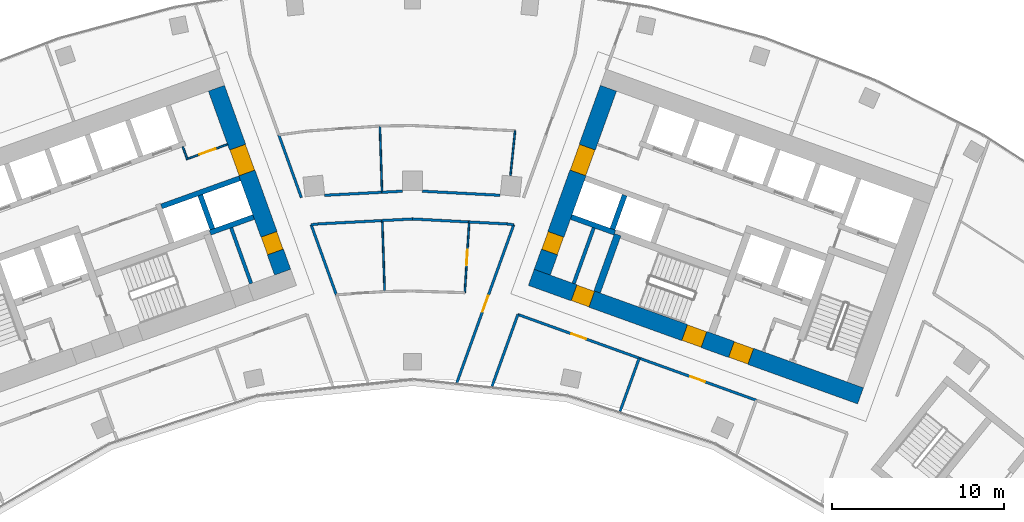
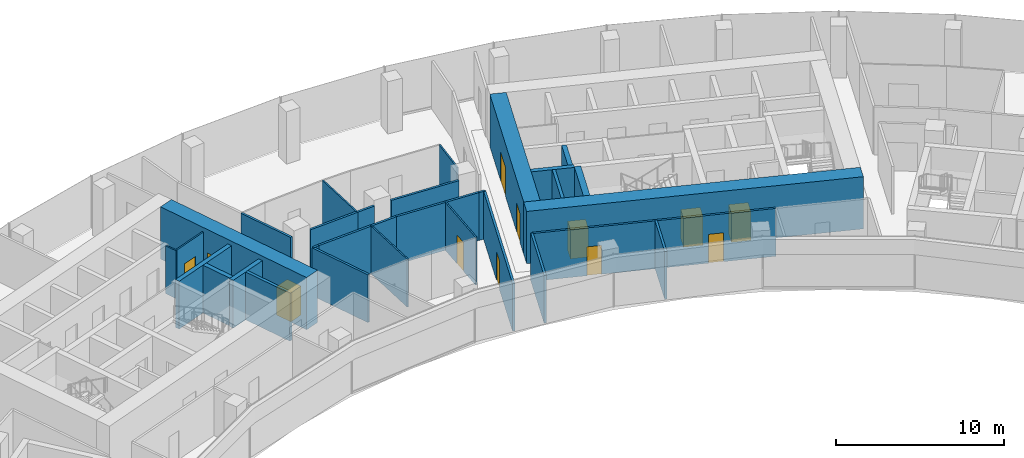
# One storey, part 14 of 19: 33 walls, 12 doors, 12 openings.
"""IFC4 building model written with IfcOpenShell, lengths in metres."""

from ifc_helpers import new_model, si_unit, direction, frame, frame_2d, origin, place, context, subcontext, project, spatial, rectangle, extrude, material, layer, layer_set, type_object, element, fill, save


model = new_model("IFC4")

# Units and contexts
model_context = context("Model", 3, precision=1e-05, world=origin(), true_north=direction((0.0, 1.0)))
body_context = subcontext(model_context, "Body", "Model", "MODEL_VIEW")
ifc_project = project(units=[si_unit("LENGTHUNIT", "METRE"), si_unit("AREAUNIT", "SQUARE_METRE"), si_unit("VOLUMEUNIT", "CUBIC_METRE"), si_unit("PLANEANGLEUNIT", "RADIAN"), si_unit("MASSUNIT", "GRAM", prefix="KILO")], contexts=[model_context])

# Site, building, storey
site_placement = place(None, origin())
site = spatial("IfcSite", under=ifc_project, at=site_placement, CompositionType="ELEMENT")
building_placement = place(site_placement, origin())
building = spatial("IfcBuilding", under=site, at=building_placement, Name="Stone Belt Terrace Tower", CompositionType="ELEMENT")
storey_placement = place(building_placement, frame((0.0, 0.0, 204.800048828125)))
storey = spatial("IfcBuildingStorey", under=building, at=storey_placement, Name="L49", CompositionType="ELEMENT", Elevation=204.800048828125)

# Wall
ifc_material_1 = material(Name="Plasterboard partition")
ifc_layer_1 = layer(ifc_material_1, 0.10009765625)
ifc_layer_set_1 = layer_set([ifc_layer_1], Name="Core partition 100")
wall_type_1 = type_object("IfcWallType", Name="Core partition 100", PredefinedType="PARTITIONING", material=ifc_layer_set_1)
wall_1_placement = place(storey_placement, frame((-13.115966796875, 56.230712890625, 0.0), z_axis=(0.0, 0.0, 1.0), x_axis=(-0.338481684961, 0.940972979923, 0.0)))
element("IfcWall", 1, at=wall_1_placement, inside=storey, type_object=wall_type_1, Name="Core A wall", PredefinedType="PARTITIONING", context=body_context, shape_type="SweptSolid", body=[
    extrude(rectangle(XDim=0.7998046875, YDim=0.10009765625, at=frame_2d((0.39990234375, 0.0))), origin(), (0.0, 0.0, 1.0), 3.47998046875),
])

# Wall, opening, door
wall_2_placement = place(storey_placement, frame((-13.085693359375, 56.294677734375, 0.0), z_axis=(0.0, 0.0, 1.0), x_axis=(0.940922976849, 0.338620660383, 0.0)))
wall_2 = element("IfcWall", 2, at=wall_2_placement, inside=storey, type_object=wall_type_1, Name="Core A wall", PredefinedType="PARTITIONING", context=body_context, shape_type="SweptSolid", body=[
    extrude(rectangle(XDim=2.449951171875, YDim=0.10009765625, at=frame_2d((1.22509765625, 0.0))), origin(), (0.0, 0.0, 1.0), 3.47998046875),
])
opening_1_placement = place(wall_2_placement, frame((0.699951171875, 0.0, 0.0)))
opening_1 = element("IfcOpeningElement", 3, at=opening_1_placement, cuts=wall_2, Name="Opening L49-C01", PredefinedType="OPENING", context=body_context, shape_type="SweptSolid", body=[
    extrude(rectangle(XDim=1.0, YDim=2.10009765625, at=frame_2d((0.5, 1.050048828125))), frame((0.0, 0.06005859375, 0.0), z_axis=(0.0, -1.0, 0.0), x_axis=(1.0, 0.0, 0.0)), (0.0, 0.0, 1.0), 0.1201171875),
])
ifc_material_2 = material(Name="Timber door leaf", Category="wood")
door_type_1 = type_object("IfcDoorType", Name="Core room door 1000", OperationType="SINGLE_SWING_LEFT", PredefinedType="DOOR", material=ifc_material_2)
door_1_placement = place(opening_1_placement, origin())
door_1 = element("IfcDoor", 4, at=door_1_placement, inside=storey, type_object=door_type_1, Name="Door to Staff pantry core A", OperationType="SINGLE_SWING_RIGHT", OverallHeight=2.10009765625, OverallWidth=1.0, PredefinedType="DOOR", context=body_context, shape_type="SweptSolid", body=[
    extrude(rectangle(XDim=1.0, YDim=2.10009765625, at=frame_2d((0.5, 1.050048828125))), frame((0.0, 0.02490234375, 0.0), z_axis=(0.0, -1.0, 0.0), x_axis=(1.0, 0.0, 0.0)), (0.0, 0.0, 1.0), 0.050048828125),
])
fill(opening_1, door_1)

# Wall, openings, doors
ifc_material_3 = material(Name="Concrete B60", Category="concrete")
ifc_layer_2 = layer(ifc_material_3, 1.0)
ifc_layer_set_2 = layer_set([ifc_layer_2], Name="Core wall 1000 B60")
wall_type_2 = type_object("IfcWallType", Name="Core wall 1000 B60", PredefinedType="SHEAR", material=ifc_layer_set_2)
wall_3_placement = place(storey_placement, frame((-7.567138671875, 49.672119140625, 0.0), z_axis=(0.0, 0.0, 1.0), x_axis=(-0.338625431531, 0.940921259788, 0.0)))
wall_3 = element("IfcWall", 5, at=wall_3_placement, inside=storey, type_object=wall_type_2, Name="Core A wall end_b L49", PredefinedType="SHEAR", context=body_context, shape_type="SweptSolid", body=[
    extrude(rectangle(XDim=11.400146484375, YDim=1.0, at=frame_2d((5.7001953125, 0.0))), origin(), (0.0, 0.0, 1.0), 3.800048828125),
])
opening_2_placement = place(wall_3_placement, frame((6.14990234375, 0.0, 0.0)))
opening_2 = element("IfcOpeningElement", 6, at=opening_2_placement, cuts=wall_3, Name="Opening L49-C04", PredefinedType="OPENING", context=body_context, shape_type="SweptSolid", body=[
    extrude(rectangle(XDim=1.60009765625, YDim=2.10009765625, at=frame_2d((0.800048828125, 1.050048828125))), frame((0.0, 0.510009765625, 0.0), z_axis=(0.0, -1.0, 0.0), x_axis=(1.0, 0.0, 0.0)), (0.0, 0.0, 1.0), 1.02001953125),
])
opening_3_placement = place(wall_3_placement, frame((1.25, 0.0, 0.0)))
opening_3 = element("IfcOpeningElement", 7, at=opening_3_placement, cuts=wall_3, Name="Opening L49-C10", PredefinedType="OPENING", context=body_context, shape_type="SweptSolid", body=[
    extrude(rectangle(XDim=1.10009765625, YDim=2.10009765625, at=frame_2d((0.550048828125, 1.050048828125))), frame((0.0, 0.510009765625, 0.0), z_axis=(0.0, -1.0, 0.0), x_axis=(1.0, 0.0, 0.0)), (0.0, 0.0, 1.0), 1.02001953125),
])
door_type_2 = type_object("IfcDoorType", Name="Core room door 1100", OperationType="SINGLE_SWING_LEFT", PredefinedType="DOOR", material=ifc_material_2)
door_2_placement = place(opening_3_placement, origin())
door_2 = element("IfcDoor", 8, at=door_2_placement, inside=storey, type_object=door_type_2, Name="Door to Cleaner's store core A", OperationType="SINGLE_SWING_LEFT", OverallHeight=2.10009765625, OverallWidth=1.10009765625, PredefinedType="DOOR", context=body_context, shape_type="SweptSolid", body=[
    extrude(rectangle(XDim=1.10009765625, YDim=2.10009765625, at=frame_2d((0.550048828125, 1.050048828125))), frame((0.0, 0.47998046875, 0.0), z_axis=(0.0, -1.0, 0.0), x_axis=(1.0, 0.0, 0.0)), (0.0, 0.0, 1.0), 0.9599609375),
])
fill(opening_3, door_2)
ifc_material_4 = material(Name="Glazed aluminium door leaf", Category="aluminium")
door_type_3 = type_object("IfcDoorType", Name="Lift lobby entrance door 1600", OperationType="DOUBLE_DOOR_SINGLE_SWING", PredefinedType="DOOR", material=ifc_material_4)
door_3_placement = place(opening_2_placement, origin())
door_3 = element("IfcDoor", 9, at=door_3_placement, inside=storey, type_object=door_type_3, Name="Lift lobby entrance door core A", OperationType="DOUBLE_DOOR_SINGLE_SWING", OverallHeight=2.10009765625, OverallWidth=1.60009765625, PredefinedType="DOOR", context=body_context, shape_type="SweptSolid", body=[
    extrude(rectangle(XDim=1.60009765625, YDim=2.10009765625, at=frame_2d((0.800048828125, 1.050048828125))), frame((0.0, 0.47998046875, 0.0), z_axis=(0.0, -1.0, 0.0), x_axis=(1.0, 0.0, 0.0)), (0.0, 0.0, 1.0), 0.9599609375),
])
fill(opening_2, door_3)

wall_4_placement = place(storey_placement, frame((6.927490234375, 49.370849609375, 0.0), z_axis=(0.0, 0.0, 1.0), x_axis=(0.940921428504, -0.338624962727, 0.0)))
wall_4 = element("IfcWall", 10, at=wall_4_placement, inside=storey, type_object=wall_type_2, Name="Core B wall concave L49", PredefinedType="SHEAR", context=body_context, shape_type="SweptSolid", body=[
    extrude(rectangle(XDim=20.400146484375, YDim=1.0, at=frame_2d((10.2001953125, 0.0))), origin(), (0.0, 0.0, 1.0), 3.800048828125),
])
opening_4_placement = place(wall_4_placement, frame((12.39990234375, 0.0, 0.0)))
opening_4 = element("IfcOpeningElement", 11, at=opening_4_placement, cuts=wall_4, Name="Opening L49-C18", PredefinedType="OPENING", context=body_context, shape_type="SweptSolid", body=[
    extrude(rectangle(XDim=1.199951171875, YDim=2.10009765625, at=frame_2d((0.60009765625, 1.050048828125))), frame((0.0, 0.510009765625, 0.0), z_axis=(0.0, -1.0, 0.0), x_axis=(1.0, 0.0, 0.0)), (0.0, 0.0, 1.0), 1.02001953125),
])
opening_5_placement = place(wall_4_placement, frame((9.5, 0.0, 0.0)))
opening_5 = element("IfcOpeningElement", 12, at=opening_5_placement, cuts=wall_4, Name="Opening L49-C20", PredefinedType="OPENING", context=body_context, shape_type="SweptSolid", body=[
    extrude(rectangle(XDim=1.199951171875, YDim=2.10009765625, at=frame_2d((0.60009765625, 1.050048828125))), frame((0.0, 0.510009765625, 0.0), z_axis=(0.0, -1.0, 0.0), x_axis=(1.0, 0.0, 0.0)), (0.0, 0.0, 1.0), 1.02001953125),
])
opening_6_placement = place(wall_4_placement, frame((2.64990234375, 0.0, 0.0)))
opening_6 = element("IfcOpeningElement", 13, at=opening_6_placement, cuts=wall_4, Name="Opening L49-C22", PredefinedType="OPENING", context=body_context, shape_type="SweptSolid", body=[
    extrude(rectangle(XDim=1.10009765625, YDim=2.10009765625, at=frame_2d((0.550048828125, 1.050048828125))), frame((0.0, 0.510009765625, 0.0), z_axis=(0.0, -1.0, 0.0), x_axis=(1.0, 0.0, 0.0)), (0.0, 0.0, 1.0), 1.02001953125),
])
door_4_placement = place(opening_6_placement, origin())
door_4 = element("IfcDoor", 14, at=door_4_placement, inside=storey, type_object=door_type_2, Name="Door to Communications riser room core B", OperationType="SINGLE_SWING_LEFT", OverallHeight=2.10009765625, OverallWidth=1.10009765625, PredefinedType="DOOR", context=body_context, shape_type="SweptSolid", body=[
    extrude(rectangle(XDim=1.10009765625, YDim=2.10009765625, at=frame_2d((0.550048828125, 1.050048828125))), frame((0.0, 0.47998046875, 0.0), z_axis=(0.0, -1.0, 0.0), x_axis=(1.0, 0.0, 0.0)), (0.0, 0.0, 1.0), 0.9599609375),
])
fill(opening_6, door_4)
ifc_material_5 = material(Name="Steel door leaf", Category="steel")
door_type_4 = type_object("IfcDoorType", Name="Fire-fighting lobby door 1200", OperationType="SINGLE_SWING_LEFT", PredefinedType="DOOR", material=ifc_material_5)
door_5_placement = place(opening_4_placement, origin())
door_5 = element("IfcDoor", 15, at=door_5_placement, inside=storey, type_object=door_type_4, Name="Fire-fighting lobby door core B", OperationType="SINGLE_SWING_LEFT", OverallHeight=2.10009765625, OverallWidth=1.199951171875, PredefinedType="DOOR", context=body_context, shape_type="SweptSolid", body=[
    extrude(rectangle(XDim=1.199951171875, YDim=2.10009765625, at=frame_2d((0.60009765625, 1.050048828125))), frame((0.0, 0.47998046875, 0.0), z_axis=(0.0, -1.0, 0.0), x_axis=(1.0, 0.0, 0.0)), (0.0, 0.0, 1.0), 0.9599609375),
])
fill(opening_4, door_5)
door_type_5 = type_object("IfcDoorType", Name="Stair door 1200", OperationType="SINGLE_SWING_LEFT", PredefinedType="DOOR", material=ifc_material_5)
door_6_placement = place(opening_5_placement, origin())
door_6 = element("IfcDoor", 16, at=door_6_placement, inside=storey, type_object=door_type_5, Name="Stair 2 exit door core B", OperationType="SINGLE_SWING_RIGHT", OverallHeight=2.10009765625, OverallWidth=1.199951171875, PredefinedType="DOOR", context=body_context, shape_type="SweptSolid", body=[
    extrude(rectangle(XDim=1.199951171875, YDim=2.10009765625, at=frame_2d((0.60009765625, 1.050048828125))), frame((0.0, 0.47998046875, 0.0), z_axis=(0.0, -1.0, 0.0), x_axis=(1.0, 0.0, 0.0)), (0.0, 0.0, 1.0), 0.9599609375),
])
fill(opening_5, door_6)

wall_5_placement = place(storey_placement, frame((7.567138671875, 49.672119140625, 0.0), z_axis=(0.0, 0.0, 1.0), x_axis=(0.338625431531, 0.940921259788, 0.0)))
wall_5 = element("IfcWall", 17, at=wall_5_placement, inside=storey, type_object=wall_type_2, Name="Core B wall end_a L49", PredefinedType="SHEAR", context=body_context, shape_type="SweptSolid", body=[
    extrude(rectangle(XDim=11.400146484375, YDim=1.0, at=frame_2d((5.7001953125, 0.0))), origin(), (0.0, 0.0, 1.0), 3.800048828125),
])
opening_7_placement = place(wall_5_placement, frame((6.14990234375, 0.0, 0.0)))
opening_7 = element("IfcOpeningElement", 18, at=opening_7_placement, cuts=wall_5, Name="Opening L49-C15", PredefinedType="OPENING", context=body_context, shape_type="SweptSolid", body=[
    extrude(rectangle(XDim=1.60009765625, YDim=2.10009765625, at=frame_2d((0.800048828125, 1.050048828125))), frame((0.0, 0.510009765625, 0.0), z_axis=(0.0, -1.0, 0.0), x_axis=(1.0, 0.0, 0.0)), (0.0, 0.0, 1.0), 1.02001953125),
])
opening_8_placement = place(wall_5_placement, frame((1.25, 0.0, 0.0)))
opening_8 = element("IfcOpeningElement", 19, at=opening_8_placement, cuts=wall_5, Name="Opening L49-C21", PredefinedType="OPENING", context=body_context, shape_type="SweptSolid", body=[
    extrude(rectangle(XDim=1.10009765625, YDim=2.10009765625, at=frame_2d((0.550048828125, 1.050048828125))), frame((0.0, 0.510009765625, 0.0), z_axis=(0.0, -1.0, 0.0), x_axis=(1.0, 0.0, 0.0)), (0.0, 0.0, 1.0), 1.02001953125),
])
door_7_placement = place(opening_8_placement, origin())
door_7 = element("IfcDoor", 20, at=door_7_placement, inside=storey, type_object=door_type_2, Name="Door to Cleaner's store core B", OperationType="SINGLE_SWING_RIGHT", OverallHeight=2.10009765625, OverallWidth=1.10009765625, PredefinedType="DOOR", context=body_context, shape_type="SweptSolid", body=[
    extrude(rectangle(XDim=1.10009765625, YDim=2.10009765625, at=frame_2d((0.550048828125, 1.050048828125))), frame((0.0, 0.47998046875, 0.0), z_axis=(0.0, -1.0, 0.0), x_axis=(1.0, 0.0, 0.0)), (0.0, 0.0, 1.0), 0.9599609375),
])
fill(opening_8, door_7)
door_8_placement = place(opening_7_placement, origin())
door_8 = element("IfcDoor", 21, at=door_8_placement, inside=storey, type_object=door_type_3, Name="Lift lobby entrance door core B", OperationType="DOUBLE_DOOR_SINGLE_SWING", OverallHeight=2.10009765625, OverallWidth=1.60009765625, PredefinedType="DOOR", context=body_context, shape_type="SweptSolid", body=[
    extrude(rectangle(XDim=1.60009765625, YDim=2.10009765625, at=frame_2d((0.800048828125, 1.050048828125))), frame((0.0, 0.47998046875, 0.0), z_axis=(0.0, -1.0, 0.0), x_axis=(1.0, 0.0, 0.0)), (0.0, 0.0, 1.0), 0.9599609375),
])
fill(opening_7, door_8)

# Walls
ifc_material_6 = material(Name="Concrete B80", Category="concrete")
ifc_layer_3 = layer(ifc_material_6, 0.300048828125)
ifc_layer_set_3 = layer_set([ifc_layer_3], Name="Lift shaft wall 300")
wall_type_3 = type_object("IfcWallType", Name="Lift shaft wall 300", PredefinedType="SHEAR", material=ifc_layer_set_3)
wall_6_placement = place(storey_placement, frame((-14.6328125, 53.506103515625, 0.0), z_axis=(0.0, 0.0, 1.0), x_axis=(0.940931684323, 0.338596464007, 0.0)))
element("IfcWall", 22, at=wall_6_placement, inside=storey, type_object=wall_type_3, Name="Core A wall", PredefinedType="SHEAR", context=body_context, shape_type="SweptSolid", body=[
    extrude(rectangle(XDim=4.849609375, YDim=0.300048828125, at=frame_2d((2.4248046875, 0.0))), origin(), (0.0, 0.0, 1.0), 3.47998046875),
])
wall_7_placement = place(storey_placement, frame((-11.797119140625, 51.975830078125, 0.0), z_axis=(0.0, 0.0, 1.0), x_axis=(0.940910465161, 0.33865542451, 0.0)))
element("IfcWall", 23, at=wall_7_placement, inside=storey, type_object=wall_type_3, Name="Core A wall", PredefinedType="SHEAR", context=body_context, shape_type="SweptSolid", body=[
    extrude(rectangle(XDim=2.69970703125, YDim=0.300048828125, at=frame_2d((1.349853515625, 0.0))), origin(), (0.0, 0.0, 1.0), 3.47998046875),
])
wall_8_placement = place(storey_placement, frame((-11.659912109375, 52.184814453125, 0.0), z_axis=(0.0, 0.0, 1.0), x_axis=(-0.338670064856, 0.940905195634, 0.0)))
element("IfcWall", 24, at=wall_8_placement, inside=storey, type_object=wall_type_3, Name="Core A wall", PredefinedType="SHEAR", context=body_context, shape_type="SweptSolid", body=[
    extrude(rectangle(XDim=2.099853515625, YDim=0.300048828125, at=frame_2d((1.0498046875, 0.0))), origin(), (0.0, 0.0, 1.0), 3.47998046875),
])
wall_9_placement = place(storey_placement, frame((11.797119140625, 51.975830078125, 0.0), z_axis=(0.0, 0.0, 1.0), x_axis=(-0.940910465161, 0.33865542451, 0.0)))
element("IfcWall", 25, at=wall_9_placement, inside=storey, type_object=wall_type_3, Name="Core B wall", PredefinedType="SHEAR", context=body_context, shape_type="SweptSolid", body=[
    extrude(rectangle(XDim=2.69970703125, YDim=0.300048828125, at=frame_2d((1.349853515625, 0.0))), origin(), (0.0, 0.0, 1.0), 3.47998046875),
])
wall_10_placement = place(storey_placement, frame((11.659912109375, 52.184814453125, 0.0), z_axis=(0.0, 0.0, 1.0), x_axis=(0.338670064856, 0.940905195634, 0.0)))
element("IfcWall", 26, at=wall_10_placement, inside=storey, type_object=wall_type_3, Name="Core B wall", PredefinedType="SHEAR", context=body_context, shape_type="SweptSolid", body=[
    extrude(rectangle(XDim=2.099853515625, YDim=0.300048828125, at=frame_2d((1.0498046875, 0.0))), origin(), (0.0, 0.0, 1.0), 3.47998046875),
])

# Wall, opening, door
ifc_material_7 = material(Name="Gypsum board partition")
ifc_layer_4 = layer(ifc_material_7, 0.10009765625)
ifc_layer_set_4 = layer_set([ifc_layer_4], Name="PARTITION 100")
wall_type_4 = type_object("IfcWallType", Name="PARTITION 100", PredefinedType="PARTITIONING", material=ifc_layer_set_4)
wall_11_placement = place(storey_placement, frame((3.051025390625, 48.47900390625, 0.0), z_axis=(0.0, 0.0, 1.0), x_axis=(0.06270205235, 0.998032290375, 0.0)))
wall_11 = element("IfcWall", 27, at=wall_11_placement, inside=storey, type_object=wall_type_4, Name="L49/wall/i084", PredefinedType="PARTITIONING", context=body_context, shape_type="SweptSolid", body=[
    extrude(rectangle(XDim=4.131103515625, YDim=0.10009765625, at=frame_2d((2.0654296875, 0.0))), origin(), (0.0, 0.0, 1.0), 3.47998046875),
])
opening_9_placement = place(wall_11_placement, frame((1.615478515625, 0.0, 0.0)))
opening_9 = element("IfcOpeningElement", 28, at=opening_9_placement, cuts=wall_11, Name="Opening D-D2-24", PredefinedType="OPENING", context=body_context, shape_type="SweptSolid", body=[
    extrude(rectangle(XDim=0.89990234375, YDim=2.10009765625, at=frame_2d((0.449951171875, 1.050048828125))), frame((0.0, 0.06005859375, 0.0), z_axis=(0.0, -1.0, 0.0), x_axis=(1.0, 0.0, 0.0)), (0.0, 0.0, 1.0), 0.1201171875),
])
door_type_6 = type_object("IfcDoorType", Name="OFFICE DOOR 900 X 2100", OperationType="NOTDEFINED", PredefinedType="DOOR", material=ifc_material_2)
door_9_placement = place(opening_9_placement, origin())
door_9 = element("IfcDoor", 29, at=door_9_placement, inside=storey, type_object=door_type_6, Name="L49/door/i24", OperationType="SINGLE_SWING_RIGHT", OverallHeight=2.10009765625, OverallWidth=0.89990234375, PredefinedType="DOOR", context=body_context, shape_type="SweptSolid", body=[
    extrude(rectangle(XDim=0.89990234375, YDim=2.10009765625, at=frame_2d((0.449951171875, 1.050048828125))), frame((0.0, 0.02490234375, 0.0), z_axis=(0.0, -1.0, 0.0), x_axis=(1.0, 0.0, 0.0)), (0.0, 0.0, 1.0), 0.050048828125),
])
fill(opening_9, door_9)

# Walls
wall_12_placement = place(storey_placement, frame((-1.758056640625, 52.68310546875, 0.0), z_axis=(0.0, 0.0, 1.0), x_axis=(0.033340372629, -0.999444055239, 0.0)))
element("IfcWall", 30, at=wall_12_placement, inside=storey, type_object=wall_type_4, Name="L49/wall/i085", PredefinedType="PARTITIONING", context=body_context, shape_type="SweptSolid", body=[
    extrude(rectangle(XDim=4.13720703125, YDim=0.10009765625, at=frame_2d((2.068603515625, 0.0))), origin(), (0.0, 0.0, 1.0), 3.47998046875),
])
wall_13_placement = place(storey_placement, frame((5.71484375, 55.310546875, 0.0), z_axis=(0.0, 0.0, 1.0), x_axis=(0.102676629499, 0.994714788145, 0.0)))
element("IfcWall", 31, at=wall_13_placement, inside=storey, type_object=wall_type_4, Name="L49/wall/i088", PredefinedType="PARTITIONING", context=body_context, shape_type="SweptSolid", body=[
    extrude(rectangle(XDim=2.620361328125, YDim=0.10009765625, at=frame_2d((1.31005859375, 0.0))), origin(), (0.0, 0.0, 1.0), 3.47998046875),
])
wall_14_placement = place(storey_placement, frame((-1.89892578125, 58.194091796875, 0.0), z_axis=(0.0, 0.0, 1.0), x_axis=(0.03285411733, -0.999460157772, 0.0)))
element("IfcWall", 32, at=wall_14_placement, inside=storey, type_object=wall_type_4, Name="L49/wall/i091", PredefinedType="PARTITIONING", context=body_context, shape_type="SweptSolid", body=[
    extrude(rectangle(XDim=3.8642578125, YDim=0.10009765625, at=frame_2d((1.93212890625, 0.0))), origin(), (0.0, 0.0, 1.0), 3.47998046875),
])
ifc_layer_5 = layer(ifc_material_7, 0.14990234375)
ifc_layer_set_5 = layer_set([ifc_layer_5], Name="PARTITION 150 EI 60")
wall_type_5 = type_object("IfcWallType", Name="PARTITION 150 EI 60", PredefinedType="PARTITIONING", material=ifc_layer_set_5)
wall_15_placement = place(storey_placement, frame((-5.906005859375, 52.44091796875, 0.0), z_axis=(0.0, 0.0, 1.0), x_axis=(0.338528709478, -0.940956063193, 0.0)))
element("IfcWall", 33, at=wall_15_placement, inside=storey, type_object=wall_type_5, Name="L49/wall/i011", PredefinedType="PARTITIONING", context=body_context, shape_type="SweptSolid", body=[
    extrude(rectangle(XDim=4.350830078125, YDim=0.14990234375, at=frame_2d((2.17529296875, 0.0))), origin(), (0.0, 0.0, 1.0), 3.47998046875),
])
wall_16_placement = place(storey_placement, frame((-7.791015625, 57.677978515625, 0.0), z_axis=(0.0, 0.0, 1.0), x_axis=(0.338503743671, -0.940965044792, 0.0)))
element("IfcWall", 34, at=wall_16_placement, inside=storey, type_object=wall_type_5, Name="L49/wall/i014", PredefinedType="PARTITIONING", context=body_context, shape_type="SweptSolid", body=[
    extrude(rectangle(XDim=3.887451171875, YDim=0.14990234375, at=frame_2d((1.94384765625, 0.0))), origin(), (0.0, 0.0, 1.0), 3.47998046875),
])
wall_17_placement = place(storey_placement, frame((6.14990234375, 47.212890625, 0.0), z_axis=(0.0, 0.0, 1.0), x_axis=(-0.338583902482, -0.940936204522, 0.0)))
element("IfcWall", 35, at=wall_17_placement, inside=storey, type_object=wall_type_5, Name="L49/wall/i022", PredefinedType="PARTITIONING", context=body_context, shape_type="SweptSolid", body=[
    extrude(rectangle(XDim=4.464111328125, YDim=0.14990234375, at=frame_2d((2.23193359375, 0.0))), origin(), (0.0, 0.0, 1.0), 3.47998046875),
])

# Wall, opening, door
wall_18_placement = place(storey_placement, frame((2.590087890625, 43.227783203125, 0.0), z_axis=(0.0, 0.0, 1.0), x_axis=(0.33864618549, 0.940913790447, 0.0)))
wall_18 = element("IfcWall", 36, at=wall_18_placement, inside=storey, type_object=wall_type_5, Name="L49/wall/i024", PredefinedType="PARTITIONING", context=body_context, shape_type="SweptSolid", body=[
    extrude(rectangle(XDim=9.791748046875, YDim=0.14990234375, at=frame_2d((4.89599609375, 0.0))), origin(), (0.0, 0.0, 1.0), 3.47998046875),
])
opening_10_placement = place(wall_18_placement, frame((4.39599609375, 0.0, 0.0)))
opening_10 = element("IfcOpeningElement", 37, at=opening_10_placement, cuts=wall_18, Name="Opening D-D2-22", PredefinedType="OPENING", context=body_context, shape_type="SweptSolid", body=[
    extrude(rectangle(XDim=1.0, YDim=2.10009765625, at=frame_2d((0.5, 1.050048828125))), frame((0.0, 0.0849609375, 0.0), z_axis=(0.0, -1.0, 0.0), x_axis=(1.0, 0.0, 0.0)), (0.0, 0.0, 1.0), 0.169921875),
])
ifc_material_8 = material(Name="Timber fire door leaf", Category="wood")
door_type_7 = type_object("IfcDoorType", Name="TENANCY ENTRANCE DOOR 1000 X 2100", OperationType="NOTDEFINED", PredefinedType="DOOR", material=ifc_material_8)
door_10_placement = place(opening_10_placement, origin())
door_10 = element("IfcDoor", 38, at=door_10_placement, inside=storey, type_object=door_type_7, Name="L49/door/i22", OperationType="SINGLE_SWING_LEFT", OverallHeight=2.10009765625, OverallWidth=1.0, PredefinedType="DOOR", context=body_context, shape_type="SweptSolid", body=[
    extrude(rectangle(XDim=1.0, YDim=2.10009765625, at=frame_2d((0.5, 1.050048828125))), frame((0.0, 0.02490234375, 0.0), z_axis=(0.0, -1.0, 0.0), x_axis=(1.0, 0.0, 0.0)), (0.0, 0.0, 1.0), 0.050048828125),
])
fill(opening_10, door_10)

wall_19_placement = place(storey_placement, frame((13.22705078125, 44.659912109375, 0.0), z_axis=(0.0, 0.0, 1.0), x_axis=(-0.940930018607, 0.338601092858, 0.0)))
wall_19 = element("IfcWall", 39, at=wall_19_placement, inside=storey, type_object=wall_type_5, Name="L49/wall/i033", PredefinedType="PARTITIONING", context=body_context, shape_type="SweptSolid", body=[
    extrude(rectangle(XDim=7.5224609375, YDim=0.14990234375, at=frame_2d((3.76123046875, 0.0))), origin(), (0.0, 0.0, 1.0), 3.47998046875),
])
opening_11_placement = place(wall_19_placement, frame((3.311279296875, 0.0, 0.0)))
opening_11 = element("IfcOpeningElement", 40, at=opening_11_placement, cuts=wall_19, Name="Opening D-D2-06", PredefinedType="OPENING", context=body_context, shape_type="SweptSolid", body=[
    extrude(rectangle(XDim=0.89990234375, YDim=2.10009765625, at=frame_2d((0.449951171875, 1.050048828125))), frame((0.0, 0.0849609375, 0.0), z_axis=(0.0, -1.0, 0.0), x_axis=(1.0, 0.0, 0.0)), (0.0, 0.0, 1.0), 0.169921875),
])
door_11_placement = place(opening_11_placement, origin())
door_11 = element("IfcDoor", 41, at=door_11_placement, inside=storey, type_object=door_type_6, Name="L49/door/i06", OperationType="SINGLE_SWING_RIGHT", OverallHeight=2.10009765625, OverallWidth=0.89990234375, PredefinedType="DOOR", context=body_context, shape_type="SweptSolid", body=[
    extrude(rectangle(XDim=0.89990234375, YDim=2.10009765625, at=frame_2d((0.449951171875, 1.050048828125))), frame((0.0, 0.02490234375, 0.0), z_axis=(0.0, -1.0, 0.0), x_axis=(1.0, 0.0, 0.0)), (0.0, 0.0, 1.0), 0.050048828125),
])
fill(opening_11, door_11)

wall_20_placement = place(storey_placement, frame((20.049072265625, 42.205078125, 0.0), z_axis=(0.0, 0.0, 1.0), x_axis=(-0.940942249556, 0.338567102655, 0.0)))
wall_20 = element("IfcWall", 42, at=wall_20_placement, inside=storey, type_object=wall_type_5, Name="L49/wall/i034", PredefinedType="PARTITIONING", context=body_context, shape_type="SweptSolid", body=[
    extrude(rectangle(XDim=7.262939453125, YDim=0.14990234375, at=frame_2d((3.63134765625, 0.0))), origin(), (0.0, 0.0, 1.0), 3.47998046875),
])
opening_12_placement = place(wall_20_placement, frame((3.181396484375, 0.0, 0.0)))
opening_12 = element("IfcOpeningElement", 43, at=opening_12_placement, cuts=wall_20, Name="Opening D-D2-07", PredefinedType="OPENING", context=body_context, shape_type="SweptSolid", body=[
    extrude(rectangle(XDim=0.89990234375, YDim=2.10009765625, at=frame_2d((0.449951171875, 1.050048828125))), frame((0.0, 0.0849609375, 0.0), z_axis=(0.0, -1.0, 0.0), x_axis=(1.0, 0.0, 0.0)), (0.0, 0.0, 1.0), 0.169921875),
])
door_12_placement = place(opening_12_placement, origin())
door_12 = element("IfcDoor", 44, at=door_12_placement, inside=storey, type_object=door_type_6, Name="L49/door/i07", OperationType="SINGLE_SWING_RIGHT", OverallHeight=2.10009765625, OverallWidth=0.89990234375, PredefinedType="DOOR", context=body_context, shape_type="SweptSolid", body=[
    extrude(rectangle(XDim=0.89990234375, YDim=2.10009765625, at=frame_2d((0.449951171875, 1.050048828125))), frame((0.0, 0.02490234375, 0.0), z_axis=(0.0, -1.0, 0.0), x_axis=(1.0, 0.0, 0.0)), (0.0, 0.0, 1.0), 0.050048828125),
])
fill(opening_12, door_12)

# Walls
wall_21_placement = place(storey_placement, frame((13.220947265625, 44.662109375, 0.0), z_axis=(0.0, 0.0, 1.0), x_axis=(-0.338677571581, -0.940902493624, 0.0)))
element("IfcWall", 45, at=wall_21_placement, inside=storey, type_object=wall_type_5, Name="L49/wall/i036", PredefinedType="PARTITIONING", context=body_context, shape_type="SweptSolid", body=[
    extrude(rectangle(XDim=3.301513671875, YDim=0.14990234375, at=frame_2d((1.65087890625, 0.0))), origin(), (0.0, 0.0, 1.0), 3.47998046875),
])
wall_22_placement = place(storey_placement, frame((5.904052734375, 52.43603515625, 0.0), z_axis=(0.0, 0.0, 1.0), x_axis=(-0.991780421826, 0.127951533338, 0.0)))
element("IfcWall", 46, at=wall_22_placement, inside=storey, type_object=wall_type_5, Name="L49/wall/i072", PredefinedType="PARTITIONING", context=body_context, shape_type="SweptSolid", body=[
    extrude(rectangle(XDim=0.39111328125, YDim=0.14990234375, at=frame_2d((0.195556640625, 0.0))), origin(), (0.0, 0.0, 1.0), 3.47998046875),
])
wall_23_placement = place(storey_placement, frame((5.51611328125, 52.486083984375, 0.0), z_axis=(0.0, 0.0, 1.0), x_axis=(-0.998628767905, 0.052350586553, 0.0)))
element("IfcWall", 47, at=wall_23_placement, inside=storey, type_object=wall_type_5, Name="L49/wall/i073", PredefinedType="PARTITIONING", context=body_context, shape_type="SweptSolid", body=[
    extrude(rectangle(XDim=2.215087890625, YDim=0.14990234375, at=frame_2d((1.107421875, 0.0))), origin(), (0.0, 0.0, 1.0), 3.47998046875),
])
wall_24_placement = place(storey_placement, frame((-1.751953125, 52.68310546875, 0.0), z_axis=(0.0, 0.0, 1.0), x_axis=(-0.99863299609, -0.052269868196, 0.0)))
element("IfcWall", 48, at=wall_24_placement, inside=storey, type_object=wall_type_5, Name="L49/wall/i074", PredefinedType="PARTITIONING", context=body_context, shape_type="SweptSolid", body=[
    extrude(rectangle(XDim=3.769287109375, YDim=0.14990234375, at=frame_2d((1.884765625, 0.0))), origin(), (0.0, 0.0, 1.0), 3.47998046875),
])
wall_25_placement = place(storey_placement, frame((-5.51611328125, 52.486083984375, 0.0), z_axis=(0.0, 0.0, 1.0), x_axis=(-0.991780421826, -0.127951533338, 0.0)))
element("IfcWall", 49, at=wall_25_placement, inside=storey, type_object=wall_type_5, Name="L49/wall/i075", PredefinedType="PARTITIONING", context=body_context, shape_type="SweptSolid", body=[
    extrude(rectangle(XDim=0.39111328125, YDim=0.14990234375, at=frame_2d((0.195556640625, 0.0))), origin(), (0.0, 0.0, 1.0), 3.47998046875),
])
wall_26_placement = place(storey_placement, frame((3.31591796875, 52.60107421875, 0.0), z_axis=(0.0, 0.0, 1.0), x_axis=(-0.998628775541, 0.052350440891, 0.0)))
element("IfcWall", 50, at=wall_26_placement, inside=storey, type_object=wall_type_5, Name="L49/wall/i076", PredefinedType="PARTITIONING", context=body_context, shape_type="SweptSolid", body=[
    extrude(rectangle(XDim=3.320556640625, YDim=0.14990234375, at=frame_2d((1.66015625, 0.0))), origin(), (0.0, 0.0, 1.0), 3.47998046875),
])
wall_27_placement = place(storey_placement, frame((0.0, 52.77490234375, 0.0), z_axis=(0.0, 0.0, 1.0), x_axis=(-0.998648584399, -0.051971192766, 0.0)))
element("IfcWall", 51, at=wall_27_placement, inside=storey, type_object=wall_type_5, Name="L49/wall/i077", PredefinedType="PARTITIONING", context=body_context, shape_type="SweptSolid", body=[
    extrude(rectangle(XDim=1.766357421875, YDim=0.14990234375, at=frame_2d((0.88330078125, 0.0))), origin(), (0.0, 0.0, 1.0), 3.47998046875),
])
wall_28_placement = place(storey_placement, frame((-5.115478515625, 54.156982421875, 0.0), z_axis=(0.0, 0.0, 1.0), x_axis=(0.998637066003, 0.052192053089, 0.0)))
element("IfcWall", 52, at=wall_28_placement, inside=storey, type_object=wall_type_5, Name="L49/wall/i078", PredefinedType="PARTITIONING", context=body_context, shape_type="SweptSolid", body=[
    extrude(rectangle(XDim=3.35400390625, YDim=0.14990234375, at=frame_2d((1.677001953125, 0.0))), origin(), (0.0, 0.0, 1.0), 3.47998046875),
])
wall_29_placement = place(storey_placement, frame((-1.778076171875, 54.33203125, 0.0), z_axis=(0.0, 0.0, 1.0), x_axis=(0.998635663079, 0.052218889557, 0.0)))
element("IfcWall", 53, at=wall_29_placement, inside=storey, type_object=wall_type_5, Name="L49/wall/i079", PredefinedType="PARTITIONING", context=body_context, shape_type="SweptSolid", body=[
    extrude(rectangle(XDim=1.206298828125, YDim=0.14990234375, at=frame_2d((0.60302734375, 0.0))), origin(), (0.0, 0.0, 1.0), 3.47998046875),
])
wall_30_placement = place(storey_placement, frame((0.5732421875, 54.39501953125, 0.0), z_axis=(0.0, 0.0, 1.0), x_axis=(0.998632924974, -0.052271226855, 0.0)))
element("IfcWall", 54, at=wall_30_placement, inside=storey, type_object=wall_type_5, Name="L49/wall/i080", PredefinedType="PARTITIONING", context=body_context, shape_type="SweptSolid", body=[
    extrude(rectangle(XDim=4.54443359375, YDim=0.14990234375, at=frame_2d((2.272216796875, 0.0))), origin(), (0.0, 0.0, 1.0), 3.47998046875),
])
ifc_material_9 = material(Name="Concrete masonry block", Category="masonry")
ifc_layer_6 = layer(ifc_material_9, 0.199951171875)
ifc_layer_set_6 = layer_set([ifc_layer_6], Name="Rated lobby wall 200")
wall_type_6 = type_object("IfcWallType", Name="Rated lobby wall 200", PredefinedType="PARTITIONING", material=ifc_layer_set_6)
for number, where, z_axis, x_axis, name in (
    (55, (-9.402099609375, 49.01171875, 0.0), (0.0, 0.0, 1.0), (-0.338599189079, 0.940930703695, 0.0), "Core A wall"),
    (56, (9.402099609375, 49.01171875, 0.0), (0.0, 0.0, 1.0), (0.338599189079, 0.940930703695, 0.0), "Core B wall"),
):
    element("IfcWall", number, at=place(storey_placement, frame(where, z_axis=z_axis, x_axis=x_axis)), inside=storey, type_object=wall_type_6, Name=name, PredefinedType="PARTITIONING", context=body_context, shape_type="SweptSolid", body=[
        extrude(rectangle(XDim=3.4501953125, YDim=0.199951171875, at=frame_2d((1.72509765625, 0.0))), origin(), (0.0, 0.0, 1.0), 3.47998046875),
    ])
ifc_layer_7 = layer(ifc_material_6, 0.39990234375)
ifc_layer_set_7 = layer_set([ifc_layer_7], Name="Stair enclosure wall 400")
wall_type_7 = type_object("IfcWallType", Name="Stair enclosure wall 400", PredefinedType="SHEAR", material=ifc_layer_set_7)
wall_31_placement = place(storey_placement, frame((10.766357421875, 48.520751953125, 0.0), z_axis=(0.0, 0.0, 1.0), x_axis=(0.338626928157, 0.94092072117, 0.0)))
element("IfcWall", 57, at=wall_31_placement, inside=storey, type_object=wall_type_7, Name="Core B wall", PredefinedType="SHEAR", context=body_context, shape_type="SweptSolid", body=[
    extrude(rectangle(XDim=3.550048828125, YDim=0.39990234375, at=frame_2d((1.77490234375, 0.0))), origin(), (0.0, 0.0, 1.0), 3.47998046875),
])

save(model, "model.ifc")
